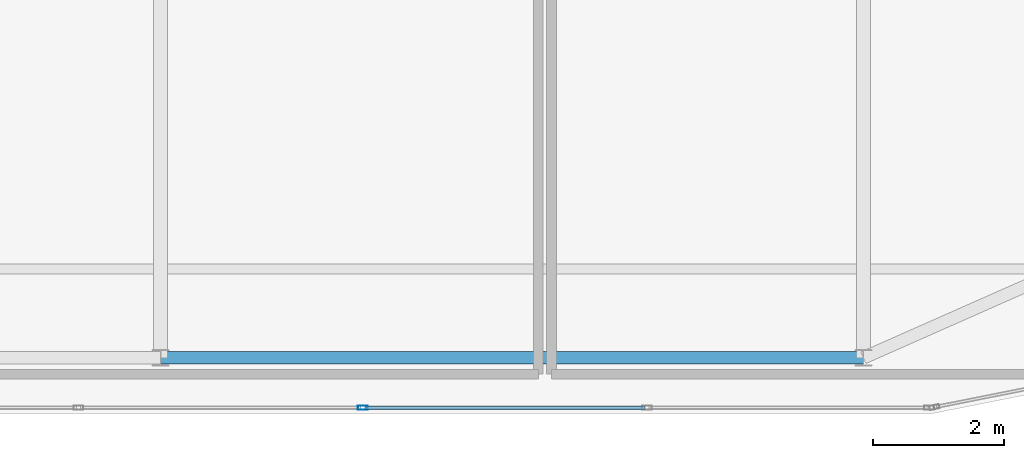
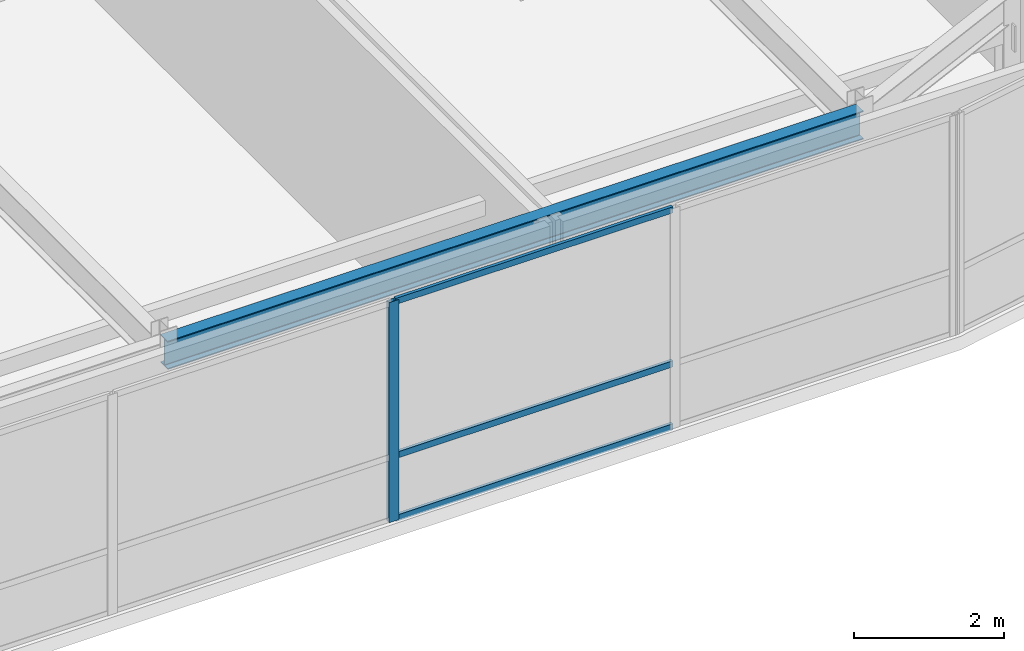
# One storey, part 12 of 36: 4 members, 1 beam, 1 element without a shape of its own.
"""IFC4 building model written with IfcOpenShell, lengths in metres."""

from ifc_helpers import new_model, si_unit, direction, frame, origin, origin_2d, place, context, subcontext, project, spatial, hollow_rectangle, i_section, extrude, source, transform, mapped, material, layer, layer_set, material_profile, profile_set, type_object, type_shapes, element, aggregate, save


model = new_model("IFC4")

# Units and contexts
model_context = context("Model", 3, precision=1e-05, world=origin(), true_north=direction((0.0, 1.0)))
body_context = subcontext(model_context, "Body", "Model", "MODEL_VIEW")
ifc_project = project(units=[si_unit("LENGTHUNIT", "METRE"), si_unit("AREAUNIT", "SQUARE_METRE"), si_unit("VOLUMEUNIT", "CUBIC_METRE"), si_unit("PLANEANGLEUNIT", "RADIAN"), si_unit("MASSUNIT", "GRAM", prefix="KILO")], contexts=[model_context])

# Site, building, storey
site_placement = place(None, origin())
site = spatial("IfcSite", under=ifc_project, at=site_placement, CompositionType="ELEMENT")
building_placement = place(site_placement, origin())
building = spatial("IfcBuilding", under=site, at=building_placement, Name="Tolvann Quenvar Hotel", CompositionType="ELEMENT")
storey_placement = place(building_placement, frame((0.0, 0.0, 306.14990234375)))
storey = spatial("IfcBuildingStorey", under=building, at=storey_placement, Name="L81", CompositionType="ELEMENT", Elevation=306.14990234375)

# Beam
ifc_material_1 = material(Name="Steel Grade 350", Category="steel")
ifc_material_profile_1 = material_profile(ifc_material_1, i_section(OverallWidth=0.19091796875, OverallDepth=0.4599609375, WebThickness=0.010009765625, FlangeThickness=0.01611328125, FilletRadius=0.011474609375, at=origin_2d()), Name="460UB82")
ifc_profile_set_1 = profile_set([ifc_material_profile_1], Name="Steel Grade 350")
beam_type = type_object("IfcBeamType", Name="BM_SPAND_460UB82", PredefinedType="SPANDREL", material=ifc_profile_set_1)
shared_shape_1 = source(origin(), body_context, "Body", "SweptSolid", [
    extrude(i_section(OverallWidth=0.19091796875, OverallDepth=0.4599609375, WebThickness=0.010009765625, FlangeThickness=0.01611328125, FilletRadius=0.011474609375, at=origin_2d()), origin(), (0.0, 0.0, 1.0), 10.699951171875),
])
type_shapes(beam_type, [shared_shape_1])
beam_placement = place(storey_placement, frame((22.050048828125, 7.050048828125, 3.35009765625), z_axis=(1.0, 0.0, 0.0), x_axis=(0.0, 1.0, 0.0)))
element("IfcBeam", 1, at=beam_placement, inside=storey, type_object=beam_type, Name="BM-L81-EW-2-E2-FP2", PredefinedType="SPANDREL", context=body_context, shape_type="MappedRepresentation", body=[
    mapped(shared_shape_1, transform((0.0, 0.0, 0.0), x_axis=(1.0, 0.0, 0.0), y_axis=(0.0, 1.0, 0.0), z_axis=(0.0, 0.0, 1.0), scale=1.0)),
])

# Curtain wall, members
ifc_material_2 = material(Name="Thermally broken anodised architectural aluminium 6063-T6 and laminated low-E glass", Category="aluminium")
ifc_layer = layer(ifc_material_2, 0.179931640625)
ifc_layer_set = layer_set([ifc_layer], Name="Thermally broken anodised architectural aluminium 6063-T6 and laminated low-E glass")
curtain_wall_type = type_object("IfcCurtainWallType", Name="CW_SYS_LANT_06", PredefinedType="USERDEFINED", material=ifc_layer_set)
curtain_wall_placement = place(storey_placement, origin())
curtain_wall = element("IfcCurtainWall", 2, at=curtain_wall_placement, inside=storey, type_object=curtain_wall_type, Name="Curtain Wall CW-LANT-06 (CWR-L81-E04)", ObjectType="UNITISED CURTAIN WALL", PredefinedType="USERDEFINED")
ifc_material_3 = material(Name="Anodised architectural aluminium 6063-T6 framing", Category="aluminium")
ifc_material_profile_2 = material_profile(ifc_material_3, hollow_rectangle(XDim=0.06494140625, YDim=0.14990234375, WallThickness=0.00390625, at=origin_2d()), Name="150x65x4RHS")
ifc_profile_set_2 = profile_set([ifc_material_profile_2], Name="Anodised architectural aluminium 6063-T6 framing")
member_type_1 = type_object("IfcMemberType", Name="CW_MULL_150x65", PredefinedType="MULLION", material=ifc_profile_set_2)
shared_shape_2 = source(origin(), body_context, "Body", "SweptSolid", [
    extrude(hollow_rectangle(XDim=0.06494140625, YDim=0.14990234375, WallThickness=0.00390625, at=origin_2d()), origin(), (0.0, 0.0, 1.0), 3.580078125),
])
type_shapes(member_type_1, [shared_shape_2])
member_1_placement = place(storey_placement, frame((25.127685546875, 6.2900390625, 0.0), z_axis=(0.0, 0.0, 1.0), x_axis=(0.0, 1.0, 0.0)))
member_1 = element("IfcMember", 3, at=member_1_placement, type_object=member_type_1, Name="CW-LANT-06 mullion 5", PredefinedType="MULLION", context=body_context, shape_type="MappedRepresentation", body=[
    mapped(shared_shape_2, transform((0.0, 0.0, 0.0), x_axis=(1.0, 0.0, 0.0), y_axis=(0.0, 1.0, 0.0), z_axis=(0.0, 0.0, 1.0), scale=1.0)),
])
ifc_material_profile_3 = material_profile(ifc_material_3, hollow_rectangle(XDim=0.050048828125, YDim=0.10009765625, WallThickness=0.0029296875, at=origin_2d()), Name="100x50x3RHS")
ifc_profile_set_3 = profile_set([ifc_material_profile_3], Name="Anodised architectural aluminium 6063-T6 framing")
member_type_2 = type_object("IfcMemberType", Name="CW_TRAN_100x50", PredefinedType="USERDEFINED", material=ifc_profile_set_3)
shared_shape_3 = source(origin(), body_context, "Body", "SweptSolid", [
    extrude(hollow_rectangle(XDim=0.050048828125, YDim=0.10009765625, WallThickness=0.0029296875, at=origin_2d()), origin(), (0.0, 0.0, 1.0), 4.262451171875),
])
type_shapes(member_type_2, [shared_shape_3])
member_2_placement = place(storey_placement, frame((25.16015625, 6.2900390625, 0.025146484375), z_axis=(1.0, 0.0, 0.0), x_axis=(0.0, 1.0, 0.0)))
member_2 = element("IfcMember", 4, at=member_2_placement, type_object=member_type_2, Name="CW-LANT-06 transom 5.1", ObjectType="TRANSOM", PredefinedType="USERDEFINED", context=body_context, shape_type="MappedRepresentation", body=[
    mapped(shared_shape_3, transform((0.0, 0.0, 0.0), x_axis=(1.0, 0.0, 0.0), y_axis=(0.0, 1.0, 0.0), z_axis=(0.0, 0.0, 1.0), scale=1.0)),
])
member_3_placement = place(storey_placement, frame((25.16015625, 6.2900390625, 1.050048828125), z_axis=(1.0, 0.0, 0.0), x_axis=(0.0, 1.0, 0.0)))
member_3 = element("IfcMember", 5, at=member_3_placement, type_object=member_type_2, Name="CW-LANT-06 transom 5.2", ObjectType="TRANSOM", PredefinedType="USERDEFINED", context=body_context, shape_type="MappedRepresentation", body=[
    mapped(shared_shape_3, transform((0.0, 0.0, 0.0), x_axis=(1.0, 0.0, 0.0), y_axis=(0.0, 1.0, 0.0), z_axis=(0.0, 0.0, 1.0), scale=1.0)),
])
member_4_placement = place(storey_placement, frame((25.16015625, 6.2900390625, 3.55517578125), z_axis=(1.0, 0.0, 0.0), x_axis=(0.0, 1.0, 0.0)))
member_4 = element("IfcMember", 6, at=member_4_placement, type_object=member_type_2, Name="CW-LANT-06 transom 5.3", ObjectType="TRANSOM", PredefinedType="USERDEFINED", context=body_context, shape_type="MappedRepresentation", body=[
    mapped(shared_shape_3, transform((0.0, 0.0, 0.0), x_axis=(1.0, 0.0, 0.0), y_axis=(0.0, 1.0, 0.0), z_axis=(0.0, 0.0, 1.0), scale=1.0)),
])
aggregate(curtain_wall, [member_1, member_2, member_3, member_4])

save(model, "model.ifc")
